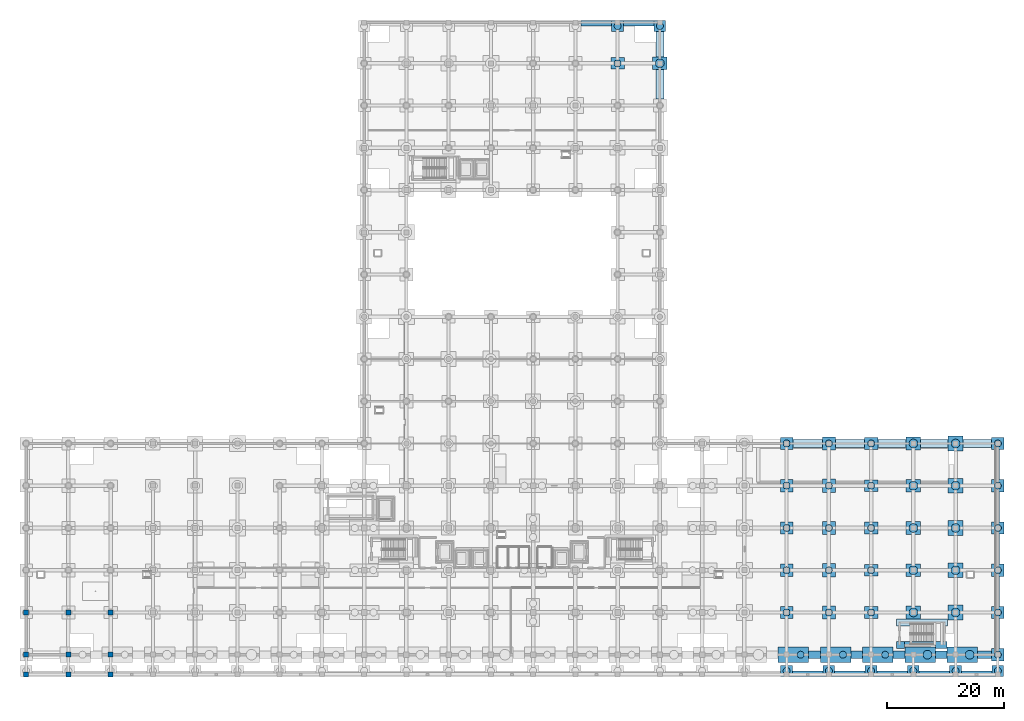
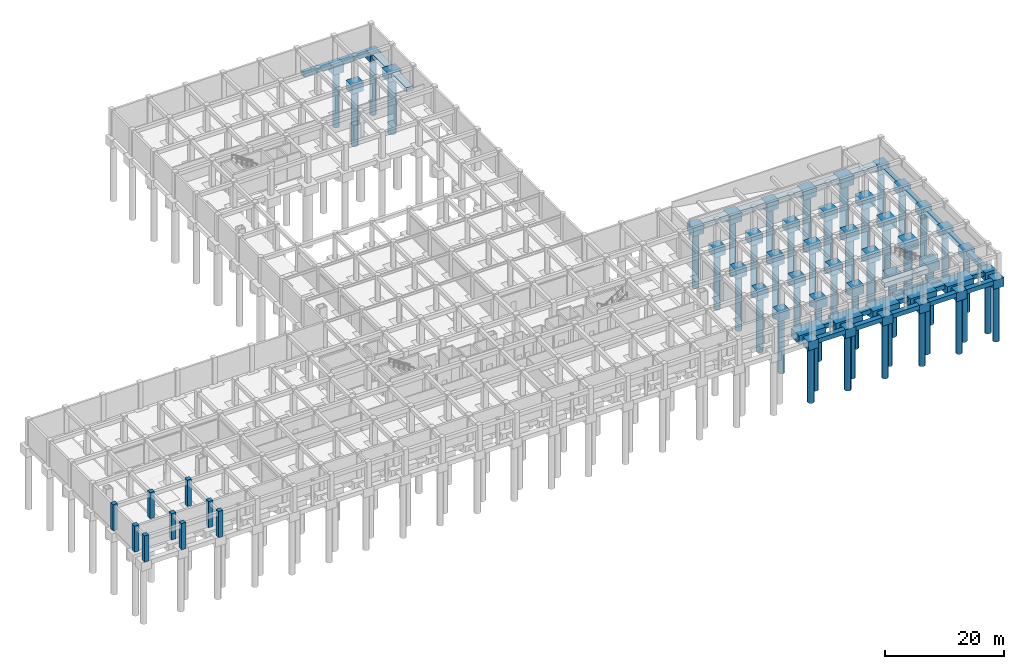
# One storey, part 5 of 26: 74 footings, 46 piles, 9 columns.
"""IFC4 building model written with IfcOpenShell, lengths in metres."""

from ifc_helpers import new_model, si_unit, direction, frame, origin, origin_2d, place, context, subcontext, project, spatial, polyline, rectangle, circle, outline, extrude, material, material_profile, profile_set, type_object, element, save


model = new_model("IFC4")

# Units and contexts
model_context = context("Model", 3, precision=1e-05, world=origin(), true_north=direction((0.0, 1.0)))
body_context = subcontext(model_context, "Body", "Model", "MODEL_VIEW")
ifc_project = project(units=[si_unit("LENGTHUNIT", "METRE"), si_unit("AREAUNIT", "SQUARE_METRE"), si_unit("VOLUMEUNIT", "CUBIC_METRE"), si_unit("PLANEANGLEUNIT", "RADIAN"), si_unit("MASSUNIT", "GRAM", prefix="KILO")], contexts=[model_context])

# Site, building, storey
site_placement = place(None, origin())
site = spatial("IfcSite", under=ifc_project, at=site_placement, CompositionType="ELEMENT")
building_placement = place(site_placement, origin())
building = spatial("IfcBuilding", under=site, at=building_placement, Name="Kazehaya Institute of Natural Sciences", CompositionType="ELEMENT")
storey_placement = place(building_placement, frame((0.0, 0.0, -5.39990234375)))
storey = spatial("IfcBuildingStorey", under=building, at=storey_placement, Name="B1", CompositionType="ELEMENT", Elevation=-5.39990234375)

# Footings
ifc_material_1 = material(Name="Concrete Fc36", Category="concrete")
footing_type_1 = type_object("IfcFootingType", Name="FT-PAD01", PredefinedType="PAD_FOOTING", material=ifc_material_1)
footing_1_placement = place(storey_placement, frame((0.0, 0.0, -0.9501953125)))
element("IfcFooting", 1, at=footing_1_placement, inside=storey, type_object=footing_type_1, Name="Core ST-5 pad footing S seg 1", PredefinedType="PAD_FOOTING", context=body_context, shape_type="SweptSolid", body=[
    extrude(outline(polyline([(152.52001953125, 7.820068359375), (153.929931640625, 7.820068359375), (153.929931640625, 9.02001953125), (152.52001953125, 9.02001953125), (152.52001953125, 7.820068359375)])), origin(), (0.0, 0.0, 1.0), 0.9501953125),
])
footing_2_placement = place(storey_placement, frame((0.0, 0.0, -0.9501953125)))
element("IfcFooting", 2, at=footing_2_placement, inside=storey, type_object=footing_type_1, Name="Core ST-5 pad footing S seg 2", PredefinedType="PAD_FOOTING", context=body_context, shape_type="SweptSolid", body=[
    extrude(outline(polyline([(159.169921875, 7.820068359375), (161.1298828125, 7.820068359375), (161.1298828125, 9.02001953125), (159.169921875, 9.02001953125), (159.169921875, 7.820068359375)])), origin(), (0.0, 0.0, 1.0), 0.9501953125),
])
footing_3_placement = place(storey_placement, frame((0.0, 0.0, -0.9501953125)))
element("IfcFooting", 3, at=footing_3_placement, inside=storey, type_object=footing_type_1, Name="Core ST-5 pad footing S seg 3", PredefinedType="PAD_FOOTING", context=body_context, shape_type="SweptSolid", body=[
    extrude(outline(polyline([(153.929931640625, 8.169921875), (159.169921875, 8.169921875), (159.169921875, 9.02001953125), (153.929931640625, 9.02001953125), (153.929931640625, 8.169921875)])), origin(), (0.0, 0.0, 1.0), 0.9501953125),
])
footing_4_placement = place(storey_placement, frame((0.0, 0.0, -0.9501953125)))
element("IfcFooting", 4, at=footing_4_placement, inside=storey, type_object=footing_type_1, Name="Core ST-5 pad footing N", PredefinedType="PAD_FOOTING", context=body_context, shape_type="SweptSolid", body=[
    extrude(outline(polyline([(152.52001953125, 11.659912109375), (161.179931640625, 11.659912109375), (161.179931640625, 12.860107421875), (152.52001953125, 12.860107421875), (152.52001953125, 11.659912109375)])), origin(), (0.0, 0.0, 1.0), 0.9501953125),
])
footing_type_2 = type_object("IfcFootingType", Name="FT-PC01", PredefinedType="PILE_CAP", material=ifc_material_1)
for number, where, z_axis, x_axis, name in (
    (5, (169.800048828125, 6.800048828125, -1.80029296875), (0.0, 0.0, 1.0), (1.0, 0.0, 0.0), "Pile cap CAP-048"),
    (6, (133.800048828125, 14.0, -1.80029296875), (0.0, 0.0, 1.0), (1.0, 0.0, 0.0), "Pile cap CAP-067"),
    (7, (169.800048828125, 14.0, -1.80029296875), (0.0, 0.0, 1.0), (1.0, 0.0, 0.0), "Pile cap CAP-072"),
    (8, (133.800048828125, 21.199951171875, -1.80029296875), (0.0, 0.0, 1.0), (1.0, 0.0, 0.0), "Pile cap CAP-091"),
    (9, (169.800048828125, 21.199951171875, -1.80029296875), (0.0, 0.0, 1.0), (1.0, 0.0, 0.0), "Pile cap CAP-096"),
    (10, (133.800048828125, 28.39990234375, -1.80029296875), (0.0, 0.0, 1.0), (1.0, 0.0, 0.0), "Pile cap CAP-115"),
    (11, (169.800048828125, 28.39990234375, -1.80029296875), (0.0, 0.0, 1.0), (1.0, 0.0, 0.0), "Pile cap CAP-120"),
    (12, (133.800048828125, 35.60009765625, -1.80029296875), (0.0, 0.0, 1.0), (1.0, 0.0, 0.0), "Pile cap CAP-139"),
    (13, (169.800048828125, 35.60009765625, -1.80029296875), (0.0, 0.0, 1.0), (1.0, 0.0, 0.0), "Pile cap CAP-144"),
    (14, (133.800048828125, 42.800048828125, -1.80029296875), (0.0, 0.0, 1.0), (1.0, 0.0, 0.0), "Pile cap CAP-163"),
    (15, (169.800048828125, 42.800048828125, -1.80029296875), (0.0, 0.0, 1.0), (1.0, 0.0, 0.0), "Pile cap CAP-168"),
):
    element("IfcFooting", number, at=place(storey_placement, frame(where, z_axis=z_axis, x_axis=x_axis)), inside=storey, type_object=footing_type_2, Name=name, PredefinedType="PILE_CAP", context=body_context, shape_type="SweptSolid", body=[
        extrude(rectangle(XDim=2.10009765625, YDim=2.10009765625, at=origin_2d()), origin(), (0.0, 0.0, 1.0), 1.800048828125),
    ])
footing_type_3 = type_object("IfcFootingType", Name="FT-PC05", PredefinedType="PILE_CAP", material=ifc_material_1)
for number, where, z_axis, x_axis, name in (
    (16, (133.800048828125, 4.050048828125, -1.80029296875), (0.0, 0.0, 1.0), (1.0, 0.0, 0.0), "Pile cap CAP-019"),
    (17, (141.0, 4.050048828125, -1.80029296875), (0.0, 0.0, 1.0), (1.0, 0.0, 0.0), "Pile cap CAP-020"),
    (18, (148.199951171875, 4.050048828125, -1.80029296875), (0.0, 0.0, 1.0), (1.0, 0.0, 0.0), "Pile cap CAP-021"),
    (19, (155.39990234375, 4.050048828125, -1.80029296875), (0.0, 0.0, 1.0), (1.0, 0.0, 0.0), "Pile cap CAP-022"),
    (20, (162.60009765625, 4.050048828125, -1.80029296875), (0.0, 0.0, 1.0), (1.0, 0.0, 0.0), "Pile cap CAP-023"),
    (21, (169.800048828125, 4.050048828125, -1.80029296875), (0.0, 0.0, 1.0), (1.0, 0.0, 0.0), "Pile cap CAP-024"),
    (22, (105.0, 113.949951171875, -1.80029296875), (0.0, 0.0, 1.0), (1.0, 0.0, 0.0), "Pile cap CAP-239"),
    (23, (112.199951171875, 113.949951171875, -1.80029296875), (0.0, 0.0, 1.0), (1.0, 0.0, 0.0), "Pile cap CAP-240"),
):
    element("IfcFooting", number, at=place(storey_placement, frame(where, z_axis=z_axis, x_axis=x_axis)), inside=storey, type_object=footing_type_3, Name=name, PredefinedType="PILE_CAP", context=body_context, shape_type="SweptSolid", body=[
        extrude(rectangle(XDim=2.0, YDim=1.89990234375, at=origin_2d()), origin(), (0.0, 0.0, 1.0), 1.800048828125),
    ])
footing_type_4 = type_object("IfcFootingType", Name="FT-PC06", PredefinedType="PILE_CAP", material=ifc_material_1)
for number, where, z_axis, x_axis, name in (
    (24, (141.0, 14.0, -1.80029296875), (0.0, 0.0, 1.0), (1.0, 0.0, 0.0), "Pile cap CAP-068"),
    (25, (141.0, 21.199951171875, -1.80029296875), (0.0, 0.0, 1.0), (1.0, 0.0, 0.0), "Pile cap CAP-092"),
    (26, (141.0, 28.39990234375, -1.80029296875), (0.0, 0.0, 1.0), (1.0, 0.0, 0.0), "Pile cap CAP-116"),
    (27, (141.0, 35.60009765625, -1.80029296875), (0.0, 0.0, 1.0), (1.0, 0.0, 0.0), "Pile cap CAP-140"),
    (28, (141.0, 42.800048828125, -1.80029296875), (0.0, 0.0, 1.0), (1.0, 0.0, 0.0), "Pile cap CAP-164"),
):
    element("IfcFooting", number, at=place(storey_placement, frame(where, z_axis=z_axis, x_axis=x_axis)), inside=storey, type_object=footing_type_4, Name=name, PredefinedType="PILE_CAP", context=body_context, shape_type="SweptSolid", body=[
        extrude(rectangle(XDim=2.25, YDim=2.25, at=origin_2d()), origin(), (0.0, 0.0, 1.0), 1.800048828125),
    ])
footing_type_5 = type_object("IfcFootingType", Name="FT-PC07", PredefinedType="PILE_CAP", material=ifc_material_1)
for number, where, z_axis, x_axis, name in (
    (29, (162.60009765625, 14.0, -1.80029296875), (0.0, 0.0, 1.0), (1.0, 0.0, 0.0), "Pile cap CAP-071"),
    (30, (162.60009765625, 21.199951171875, -1.80029296875), (0.0, 0.0, 1.0), (1.0, 0.0, 0.0), "Pile cap CAP-095"),
    (31, (162.60009765625, 28.39990234375, -1.80029296875), (0.0, 0.0, 1.0), (1.0, 0.0, 0.0), "Pile cap CAP-119"),
    (32, (162.60009765625, 35.60009765625, -1.80029296875), (0.0, 0.0, 1.0), (1.0, 0.0, 0.0), "Pile cap CAP-143"),
    (33, (162.60009765625, 42.800048828125, -1.80029296875), (0.0, 0.0, 1.0), (1.0, 0.0, 0.0), "Pile cap CAP-167"),
):
    element("IfcFooting", number, at=place(storey_placement, frame(where, z_axis=z_axis, x_axis=x_axis)), inside=storey, type_object=footing_type_5, Name=name, PredefinedType="PILE_CAP", context=body_context, shape_type="SweptSolid", body=[
        extrude(rectangle(XDim=2.550048828125, YDim=2.550048828125, at=origin_2d()), origin(), (0.0, 0.0, 1.0), 1.800048828125),
    ])
footing_type_6 = type_object("IfcFootingType", Name="FT-PC10", PredefinedType="PILE_CAP", material=ifc_material_1)
for number, where, z_axis, x_axis, name in (
    (34, (134.949951171875, 6.800048828125, -1.80029296875), (0.0, 0.0, 1.0), (1.0, 0.0, 0.0), "Pile cap CAP-043"),
    (35, (142.14990234375, 6.800048828125, -1.80029296875), (0.0, 0.0, 1.0), (1.0, 0.0, 0.0), "Pile cap CAP-044"),
    (36, (149.35009765625, 6.800048828125, -1.80029296875), (0.0, 0.0, 1.0), (1.0, 0.0, 0.0), "Pile cap CAP-045"),
    (37, (156.550048828125, 6.800048828125, -1.80029296875), (0.0, 0.0, 1.0), (1.0, 0.0, 0.0), "Pile cap CAP-046"),
    (38, (163.75, 6.800048828125, -1.80029296875), (0.0, 0.0, 1.0), (1.0, 0.0, 0.0), "Pile cap CAP-047"),
):
    element("IfcFooting", number, at=place(storey_placement, frame(where, z_axis=z_axis, x_axis=x_axis)), inside=storey, type_object=footing_type_6, Name=name, PredefinedType="PILE_CAP", context=body_context, shape_type="SweptSolid", body=[
        extrude(rectangle(XDim=5.199951171875, YDim=2.699951171875, at=origin_2d()), origin(), (0.0, 0.0, 1.0), 1.800048828125),
    ])
footing_type_7 = type_object("IfcFootingType", Name="FT-PC11", PredefinedType="PILE_CAP", material=ifc_material_1)
for number, where, z_axis, x_axis, name in (
    (39, (148.199951171875, 14.0, -1.80029296875), (0.0, 0.0, 1.0), (1.0, 0.0, 0.0), "Pile cap CAP-069"),
    (40, (148.199951171875, 21.199951171875, -1.80029296875), (0.0, 0.0, 1.0), (1.0, 0.0, 0.0), "Pile cap CAP-093"),
    (41, (148.199951171875, 28.39990234375, -1.80029296875), (0.0, 0.0, 1.0), (1.0, 0.0, 0.0), "Pile cap CAP-117"),
    (42, (148.199951171875, 35.60009765625, -1.80029296875), (0.0, 0.0, 1.0), (1.0, 0.0, 0.0), "Pile cap CAP-141"),
    (43, (148.199951171875, 42.800048828125, -1.80029296875), (0.0, 0.0, 1.0), (1.0, 0.0, 0.0), "Pile cap CAP-165"),
    (44, (105.0, 107.60009765625, -1.80029296875), (0.0, 0.0, 1.0), (1.0, 0.0, 0.0), "Pile cap CAP-231"),
):
    element("IfcFooting", number, at=place(storey_placement, frame(where, z_axis=z_axis, x_axis=x_axis)), inside=storey, type_object=footing_type_7, Name=name, PredefinedType="PILE_CAP", context=body_context, shape_type="SweptSolid", body=[
        extrude(rectangle(XDim=2.300048828125, YDim=2.0, at=origin_2d()), origin(), (0.0, 0.0, 1.0), 1.800048828125),
    ])
footing_type_8 = type_object("IfcFootingType", Name="FT-PC12", PredefinedType="PILE_CAP", material=ifc_material_1)
for number, where, z_axis, x_axis, name in (
    (45, (155.39990234375, 14.0, -1.80029296875), (0.0, 0.0, 1.0), (1.0, 0.0, 0.0), "Pile cap CAP-070"),
    (46, (155.39990234375, 21.199951171875, -1.80029296875), (0.0, 0.0, 1.0), (1.0, 0.0, 0.0), "Pile cap CAP-094"),
    (47, (155.39990234375, 28.39990234375, -1.80029296875), (0.0, 0.0, 1.0), (1.0, 0.0, 0.0), "Pile cap CAP-118"),
    (48, (155.39990234375, 35.60009765625, -1.80029296875), (0.0, 0.0, 1.0), (1.0, 0.0, 0.0), "Pile cap CAP-142"),
    (49, (155.39990234375, 42.800048828125, -1.80029296875), (0.0, 0.0, 1.0), (1.0, 0.0, 0.0), "Pile cap CAP-166"),
    (50, (112.199951171875, 107.60009765625, -1.80029296875), (0.0, 0.0, 1.0), (1.0, 0.0, 0.0), "Pile cap CAP-232"),
):
    element("IfcFooting", number, at=place(storey_placement, frame(where, z_axis=z_axis, x_axis=x_axis)), inside=storey, type_object=footing_type_8, Name=name, PredefinedType="PILE_CAP", context=body_context, shape_type="SweptSolid", body=[
        extrude(rectangle(XDim=2.5, YDim=2.199951171875, at=origin_2d()), origin(), (0.0, 0.0, 1.0), 1.800048828125),
    ])
footing_type_9 = type_object("IfcFootingType", Name="FT-SF01", PredefinedType="STRIP_FOOTING", material=ifc_material_1)
footing_5_placement = place(storey_placement, frame((0.0, 0.0, -0.900146484375)))
element("IfcFooting", 51, at=footing_5_placement, inside=storey, type_object=footing_type_9, Name="Perimeter strip footing SF-019", PredefinedType="STRIP_FOOTING", context=body_context, shape_type="SweptSolid", body=[
    extrude(outline(polyline([(134.800048828125, 3.1201171875), (140.0, 3.1201171875), (140.0, 4.050048828125), (134.800048828125, 4.050048828125), (134.800048828125, 3.1201171875)])), origin(), (0.0, 0.0, 1.0), 0.900146484375),
])
footing_6_placement = place(storey_placement, frame((0.0, 0.0, -0.900146484375)))
element("IfcFooting", 52, at=footing_6_placement, inside=storey, type_object=footing_type_9, Name="Perimeter strip footing SF-020", PredefinedType="STRIP_FOOTING", context=body_context, shape_type="SweptSolid", body=[
    extrude(outline(polyline([(142.0, 3.1201171875), (147.199951171875, 3.1201171875), (147.199951171875, 4.050048828125), (142.0, 4.050048828125), (142.0, 3.1201171875)])), origin(), (0.0, 0.0, 1.0), 0.900146484375),
])
footing_7_placement = place(storey_placement, frame((0.0, 0.0, -0.900146484375)))
element("IfcFooting", 53, at=footing_7_placement, inside=storey, type_object=footing_type_9, Name="Perimeter strip footing SF-021", PredefinedType="STRIP_FOOTING", context=body_context, shape_type="SweptSolid", body=[
    extrude(outline(polyline([(149.199951171875, 3.1201171875), (154.39990234375, 3.1201171875), (154.39990234375, 4.050048828125), (149.199951171875, 4.050048828125), (149.199951171875, 3.1201171875)])), origin(), (0.0, 0.0, 1.0), 0.900146484375),
])
footing_8_placement = place(storey_placement, frame((0.0, 0.0, -0.900146484375)))
element("IfcFooting", 54, at=footing_8_placement, inside=storey, type_object=footing_type_9, Name="Perimeter strip footing SF-022", PredefinedType="STRIP_FOOTING", context=body_context, shape_type="SweptSolid", body=[
    extrude(outline(polyline([(156.39990234375, 3.1201171875), (161.60009765625, 3.1201171875), (161.60009765625, 4.050048828125), (156.39990234375, 4.050048828125), (156.39990234375, 3.1201171875)])), origin(), (0.0, 0.0, 1.0), 0.900146484375),
])
footing_9_placement = place(storey_placement, frame((0.0, 0.0, -0.900146484375)))
element("IfcFooting", 55, at=footing_9_placement, inside=storey, type_object=footing_type_9, Name="Perimeter strip footing SF-023", PredefinedType="STRIP_FOOTING", context=body_context, shape_type="SweptSolid", body=[
    extrude(outline(polyline([(163.60009765625, 3.1201171875), (168.800048828125, 3.1201171875), (168.800048828125, 4.050048828125), (163.60009765625, 4.050048828125), (163.60009765625, 3.1201171875)])), origin(), (0.0, 0.0, 1.0), 0.900146484375),
])
footing_10_placement = place(storey_placement, frame((0.0, 0.0, -0.900146484375)))
element("IfcFooting", 56, at=footing_10_placement, inside=storey, type_object=footing_type_9, Name="Perimeter strip footing SF-042", PredefinedType="STRIP_FOOTING", context=body_context, shape_type="SweptSolid", body=[
    extrude(outline(polyline([(137.550048828125, 6.199951171875), (139.550048828125, 6.199951171875), (139.550048828125, 7.39990234375), (137.550048828125, 7.39990234375), (137.550048828125, 6.199951171875)])), origin(), (0.0, 0.0, 1.0), 0.900146484375),
])
footing_11_placement = place(storey_placement, frame((0.0, 0.0, -0.900146484375)))
element("IfcFooting", 57, at=footing_11_placement, inside=storey, type_object=footing_type_9, Name="Perimeter strip footing SF-043", PredefinedType="STRIP_FOOTING", context=body_context, shape_type="SweptSolid", body=[
    extrude(outline(polyline([(144.75, 6.199951171875), (146.75, 6.199951171875), (146.75, 7.39990234375), (144.75, 7.39990234375), (144.75, 6.199951171875)])), origin(), (0.0, 0.0, 1.0), 0.900146484375),
])
footing_12_placement = place(storey_placement, frame((0.0, 0.0, -0.900146484375)))
element("IfcFooting", 58, at=footing_12_placement, inside=storey, type_object=footing_type_9, Name="Perimeter strip footing SF-044", PredefinedType="STRIP_FOOTING", context=body_context, shape_type="SweptSolid", body=[
    extrude(outline(polyline([(151.949951171875, 6.199951171875), (153.949951171875, 6.199951171875), (153.949951171875, 7.39990234375), (151.949951171875, 7.39990234375), (151.949951171875, 6.199951171875)])), origin(), (0.0, 0.0, 1.0), 0.900146484375),
])
footing_13_placement = place(storey_placement, frame((0.0, 0.0, -0.900146484375)))
element("IfcFooting", 59, at=footing_13_placement, inside=storey, type_object=footing_type_9, Name="Perimeter strip footing SF-045", PredefinedType="STRIP_FOOTING", context=body_context, shape_type="SweptSolid", body=[
    extrude(outline(polyline([(159.14990234375, 6.199951171875), (161.14990234375, 6.199951171875), (161.14990234375, 7.39990234375), (159.14990234375, 7.39990234375), (159.14990234375, 6.199951171875)])), origin(), (0.0, 0.0, 1.0), 0.900146484375),
])
footing_14_placement = place(storey_placement, frame((0.0, 0.0, -0.900146484375)))
element("IfcFooting", 60, at=footing_14_placement, inside=storey, type_object=footing_type_9, Name="Perimeter strip footing SF-046", PredefinedType="STRIP_FOOTING", context=body_context, shape_type="SweptSolid", body=[
    extrude(outline(polyline([(166.35009765625, 6.199951171875), (168.75, 6.199951171875), (168.75, 7.39990234375), (166.35009765625, 7.39990234375), (166.35009765625, 6.199951171875)])), origin(), (0.0, 0.0, 1.0), 0.900146484375),
])
footing_15_placement = place(storey_placement, frame((0.0, 0.0, -0.900146484375)))
element("IfcFooting", 61, at=footing_15_placement, inside=storey, type_object=footing_type_9, Name="Perimeter strip footing SF-075", PredefinedType="STRIP_FOOTING", context=body_context, shape_type="SweptSolid", body=[
    extrude(outline(polyline([(98.800048828125, 113.949951171875), (104.0, 113.949951171875), (104.0, 114.8798828125), (98.800048828125, 114.8798828125), (98.800048828125, 113.949951171875)])), origin(), (0.0, 0.0, 1.0), 0.900146484375),
])
footing_16_placement = place(storey_placement, frame((0.0, 0.0, -0.900146484375)))
element("IfcFooting", 62, at=footing_16_placement, inside=storey, type_object=footing_type_9, Name="Perimeter strip footing SF-076", PredefinedType="STRIP_FOOTING", context=body_context, shape_type="SweptSolid", body=[
    extrude(outline(polyline([(106.0, 113.949951171875), (111.199951171875, 113.949951171875), (111.199951171875, 114.8798828125), (106.0, 114.8798828125), (106.0, 113.949951171875)])), origin(), (0.0, 0.0, 1.0), 0.900146484375),
])
footing_17_placement = place(storey_placement, frame((0.0, 0.0, -0.900146484375)))
element("IfcFooting", 63, at=footing_17_placement, inside=storey, type_object=footing_type_9, Name="Perimeter strip footing SF-095", PredefinedType="STRIP_FOOTING", context=body_context, shape_type="SweptSolid", body=[
    extrude(outline(polyline([(169.199951171875, 7.85009765625), (170.080078125, 7.85009765625), (170.080078125, 12.949951171875), (169.199951171875, 12.949951171875), (169.199951171875, 7.85009765625)])), origin(), (0.0, 0.0, 1.0), 0.900146484375),
])
footing_18_placement = place(storey_placement, frame((0.0, 0.0, -0.900146484375)))
element("IfcFooting", 64, at=footing_18_placement, inside=storey, type_object=footing_type_9, Name="Perimeter strip footing SF-096", PredefinedType="STRIP_FOOTING", context=body_context, shape_type="SweptSolid", body=[
    extrude(outline(polyline([(169.199951171875, 15.050048828125), (170.080078125, 15.050048828125), (170.080078125, 20.14990234375), (169.199951171875, 20.14990234375), (169.199951171875, 15.050048828125)])), origin(), (0.0, 0.0, 1.0), 0.900146484375),
])
footing_19_placement = place(storey_placement, frame((0.0, 0.0, -0.900146484375)))
element("IfcFooting", 65, at=footing_19_placement, inside=storey, type_object=footing_type_9, Name="Perimeter strip footing SF-097", PredefinedType="STRIP_FOOTING", context=body_context, shape_type="SweptSolid", body=[
    extrude(outline(polyline([(169.199951171875, 22.25), (170.080078125, 22.25), (170.080078125, 27.35009765625), (169.199951171875, 27.35009765625), (169.199951171875, 22.25)])), origin(), (0.0, 0.0, 1.0), 0.900146484375),
])
footing_20_placement = place(storey_placement, frame((0.0, 0.0, -0.900146484375)))
element("IfcFooting", 66, at=footing_20_placement, inside=storey, type_object=footing_type_9, Name="Perimeter strip footing SF-098", PredefinedType="STRIP_FOOTING", context=body_context, shape_type="SweptSolid", body=[
    extrude(outline(polyline([(169.199951171875, 29.449951171875), (170.080078125, 29.449951171875), (170.080078125, 34.550048828125), (169.199951171875, 34.550048828125), (169.199951171875, 29.449951171875)])), origin(), (0.0, 0.0, 1.0), 0.900146484375),
])
footing_21_placement = place(storey_placement, frame((0.0, 0.0, -0.900146484375)))
element("IfcFooting", 67, at=footing_21_placement, inside=storey, type_object=footing_type_9, Name="Perimeter strip footing SF-099", PredefinedType="STRIP_FOOTING", context=body_context, shape_type="SweptSolid", body=[
    extrude(outline(polyline([(169.199951171875, 36.64990234375), (170.080078125, 36.64990234375), (170.080078125, 41.75), (169.199951171875, 41.75), (169.199951171875, 36.64990234375)])), origin(), (0.0, 0.0, 1.0), 0.900146484375),
])
footing_type_10 = type_object("IfcFootingType", Name="FT-SF02", PredefinedType="STRIP_FOOTING", material=ifc_material_1)
footing_22_placement = place(storey_placement, frame((0.0, 0.0, -0.9501953125)))
element("IfcFooting", 68, at=footing_22_placement, inside=storey, type_object=footing_type_10, Name="Perimeter strip footing SF-085", PredefinedType="STRIP_FOOTING", context=body_context, shape_type="SweptSolid", body=[
    extrude(outline(polyline([(111.5, 101.52490234375), (112.89990234375, 101.52490234375), (112.89990234375, 106.5), (111.5, 106.5), (111.5, 101.52490234375)])), origin(), (0.0, 0.0, 1.0), 0.9501953125),
])
footing_23_placement = place(storey_placement, frame((0.0, 0.0, -0.9501953125)))
element("IfcFooting", 69, at=footing_23_placement, inside=storey, type_object=footing_type_10, Name="Perimeter strip footing SF-086", PredefinedType="STRIP_FOOTING", context=body_context, shape_type="SweptSolid", body=[
    extrude(outline(polyline([(111.5, 108.699951171875), (112.89990234375, 108.699951171875), (112.89990234375, 113.0), (111.5, 113.0), (111.5, 108.699951171875)])), origin(), (0.0, 0.0, 1.0), 0.9501953125),
])
footing_24_placement = place(storey_placement, frame((0.0, 0.0, -0.9501953125)))
element("IfcFooting", 70, at=footing_24_placement, inside=storey, type_object=footing_type_10, Name="Perimeter strip footing SF-090", PredefinedType="STRIP_FOOTING", context=body_context, shape_type="SweptSolid", body=[
    extrude(outline(polyline([(134.85009765625, 42.10009765625), (139.875, 42.10009765625), (139.875, 43.5), (134.85009765625, 43.5), (134.85009765625, 42.10009765625)])), origin(), (0.0, 0.0, 1.0), 0.9501953125),
])
footing_25_placement = place(storey_placement, frame((0.0, 0.0, -0.9501953125)))
element("IfcFooting", 71, at=footing_25_placement, inside=storey, type_object=footing_type_10, Name="Perimeter strip footing SF-091", PredefinedType="STRIP_FOOTING", context=body_context, shape_type="SweptSolid", body=[
    extrude(outline(polyline([(142.125, 42.10009765625), (147.050048828125, 42.10009765625), (147.050048828125, 43.5), (142.125, 43.5), (142.125, 42.10009765625)])), origin(), (0.0, 0.0, 1.0), 0.9501953125),
])
footing_26_placement = place(storey_placement, frame((0.0, 0.0, -0.9501953125)))
element("IfcFooting", 72, at=footing_26_placement, inside=storey, type_object=footing_type_10, Name="Perimeter strip footing SF-092", PredefinedType="STRIP_FOOTING", context=body_context, shape_type="SweptSolid", body=[
    extrude(outline(polyline([(149.35009765625, 42.10009765625), (154.14990234375, 42.10009765625), (154.14990234375, 43.5), (149.35009765625, 43.5), (149.35009765625, 42.10009765625)])), origin(), (0.0, 0.0, 1.0), 0.9501953125),
])
footing_27_placement = place(storey_placement, frame((0.0, 0.0, -0.9501953125)))
element("IfcFooting", 73, at=footing_27_placement, inside=storey, type_object=footing_type_10, Name="Perimeter strip footing SF-093", PredefinedType="STRIP_FOOTING", context=body_context, shape_type="SweptSolid", body=[
    extrude(outline(polyline([(156.64990234375, 42.10009765625), (161.324951171875, 42.10009765625), (161.324951171875, 43.5), (156.64990234375, 43.5), (156.64990234375, 42.10009765625)])), origin(), (0.0, 0.0, 1.0), 0.9501953125),
])
footing_28_placement = place(storey_placement, frame((0.0, 0.0, -0.9501953125)))
element("IfcFooting", 74, at=footing_28_placement, inside=storey, type_object=footing_type_10, Name="Perimeter strip footing SF-094", PredefinedType="STRIP_FOOTING", context=body_context, shape_type="SweptSolid", body=[
    extrude(outline(polyline([(163.875, 42.10009765625), (168.75, 42.10009765625), (168.75, 43.5), (163.875, 43.5), (163.875, 42.10009765625)])), origin(), (0.0, 0.0, 1.0), 0.9501953125),
])

# Piles
ifc_material_profile_1 = material_profile(ifc_material_1, circle(Radius=0.60009765625, at=origin_2d()), Name="PILE-1200")
ifc_profile_set_1 = profile_set([ifc_material_profile_1], Name="Concrete Fc36")
pile_type_1 = type_object("IfcPileType", Name="PILE-1200", PredefinedType="BORED", material=ifc_profile_set_1)
for number, where, z_axis, x_axis, name in (
    (75, (133.800048828125, 4.050048828125, -1.7001953125), (0.0, 0.0, -1.0), (1.0, 0.0, 0.0), "Bored pile CAP-019-P1"),
    (76, (141.0, 4.050048828125, -1.7001953125), (0.0, 0.0, -1.0), (1.0, 0.0, 0.0), "Bored pile CAP-020-P1"),
    (77, (148.199951171875, 4.050048828125, -1.7001953125), (0.0, 0.0, -1.0), (1.0, 0.0, 0.0), "Bored pile CAP-021-P1"),
    (78, (155.39990234375, 4.050048828125, -1.7001953125), (0.0, 0.0, -1.0), (1.0, 0.0, 0.0), "Bored pile CAP-022-P1"),
    (79, (162.60009765625, 4.050048828125, -1.7001953125), (0.0, 0.0, -1.0), (1.0, 0.0, 0.0), "Bored pile CAP-023-P1"),
    (80, (169.800048828125, 4.050048828125, -1.7001953125), (0.0, 0.0, -1.0), (1.0, 0.0, 0.0), "Bored pile CAP-024-P1"),
    (81, (136.199951171875, 6.800048828125, -1.7001953125), (0.0, 0.0, -1.0), (1.0, 0.0, 0.0), "Bored pile CAP-043-P1"),
    (82, (143.39990234375, 6.800048828125, -1.7001953125), (0.0, 0.0, -1.0), (1.0, 0.0, 0.0), "Bored pile CAP-044-P1"),
    (83, (150.60009765625, 6.800048828125, -1.7001953125), (0.0, 0.0, -1.0), (1.0, 0.0, 0.0), "Bored pile CAP-045-P1"),
    (84, (169.800048828125, 6.800048828125, -1.7001953125), (0.0, 0.0, -1.0), (1.0, 0.0, 0.0), "Bored pile CAP-048-P1"),
    (85, (133.800048828125, 14.0, -1.7001953125), (0.0, 0.0, -1.0), (1.0, 0.0, 0.0), "Bored pile CAP-067-P1"),
    (86, (141.0, 14.0, -1.7001953125), (0.0, 0.0, -1.0), (1.0, 0.0, 0.0), "Bored pile CAP-068-P1"),
    (87, (148.199951171875, 14.0, -1.7001953125), (0.0, 0.0, -1.0), (1.0, 0.0, 0.0), "Bored pile CAP-069-P1"),
    (88, (169.800048828125, 14.0, -1.7001953125), (0.0, 0.0, -1.0), (1.0, 0.0, 0.0), "Bored pile CAP-072-P1"),
    (89, (133.800048828125, 21.199951171875, -1.7001953125), (0.0, 0.0, -1.0), (1.0, 0.0, 0.0), "Bored pile CAP-091-P1"),
    (90, (141.0, 21.199951171875, -1.7001953125), (0.0, 0.0, -1.0), (1.0, 0.0, 0.0), "Bored pile CAP-092-P1"),
    (91, (148.199951171875, 21.199951171875, -1.7001953125), (0.0, 0.0, -1.0), (1.0, 0.0, 0.0), "Bored pile CAP-093-P1"),
    (92, (169.800048828125, 21.199951171875, -1.7001953125), (0.0, 0.0, -1.0), (1.0, 0.0, 0.0), "Bored pile CAP-096-P1"),
    (93, (133.800048828125, 28.39990234375, -1.7001953125), (0.0, 0.0, -1.0), (1.0, 0.0, 0.0), "Bored pile CAP-115-P1"),
    (94, (141.0, 28.39990234375, -1.7001953125), (0.0, 0.0, -1.0), (1.0, 0.0, 0.0), "Bored pile CAP-116-P1"),
    (95, (148.199951171875, 28.39990234375, -1.7001953125), (0.0, 0.0, -1.0), (1.0, 0.0, 0.0), "Bored pile CAP-117-P1"),
    (96, (169.800048828125, 28.39990234375, -1.7001953125), (0.0, 0.0, -1.0), (1.0, 0.0, 0.0), "Bored pile CAP-120-P1"),
    (97, (133.800048828125, 35.60009765625, -1.7001953125), (0.0, 0.0, -1.0), (1.0, 0.0, 0.0), "Bored pile CAP-139-P1"),
    (98, (141.0, 35.60009765625, -1.7001953125), (0.0, 0.0, -1.0), (1.0, 0.0, 0.0), "Bored pile CAP-140-P1"),
    (99, (148.199951171875, 35.60009765625, -1.7001953125), (0.0, 0.0, -1.0), (1.0, 0.0, 0.0), "Bored pile CAP-141-P1"),
    (100, (169.800048828125, 35.60009765625, -1.7001953125), (0.0, 0.0, -1.0), (1.0, 0.0, 0.0), "Bored pile CAP-144-P1"),
    (101, (133.800048828125, 42.800048828125, -1.7001953125), (0.0, 0.0, -1.0), (1.0, 0.0, 0.0), "Bored pile CAP-163-P1"),
    (102, (141.0, 42.800048828125, -1.7001953125), (0.0, 0.0, -1.0), (1.0, 0.0, 0.0), "Bored pile CAP-164-P1"),
    (103, (148.199951171875, 42.800048828125, -1.7001953125), (0.0, 0.0, -1.0), (1.0, 0.0, 0.0), "Bored pile CAP-165-P1"),
    (104, (169.800048828125, 42.800048828125, -1.7001953125), (0.0, 0.0, -1.0), (1.0, 0.0, 0.0), "Bored pile CAP-168-P1"),
    (105, (105.0, 107.60009765625, -1.7001953125), (0.0, 0.0, -1.0), (1.0, 0.0, 0.0), "Bored pile CAP-231-P1"),
    (106, (105.0, 113.949951171875, -1.7001953125), (0.0, 0.0, -1.0), (1.0, 0.0, 0.0), "Bored pile CAP-239-P1"),
    (107, (112.199951171875, 113.949951171875, -1.7001953125), (0.0, 0.0, -1.0), (1.0, 0.0, 0.0), "Bored pile CAP-240-P1"),
):
    element("IfcPile", number, at=place(storey_placement, frame(where, z_axis=z_axis, x_axis=x_axis)), inside=storey, type_object=pile_type_1, Name=name, PredefinedType="BORED", context=body_context, shape_type="SweptSolid", body=[
        extrude(circle(Radius=0.60009765625, at=origin_2d()), origin(), (0.0, 0.0, 1.0), 11.39990234375),
    ])
ifc_material_profile_2 = material_profile(ifc_material_1, circle(Radius=0.75, at=origin_2d()), Name="PILE-1500")
ifc_profile_set_2 = profile_set([ifc_material_profile_2], Name="Concrete Fc36")
pile_type_2 = type_object("IfcPileType", Name="PILE-1500", PredefinedType="BORED", material=ifc_profile_set_2)
for number, where, z_axis, x_axis, name in (
    (108, (157.800048828125, 6.800048828125, -1.7001953125), (0.0, 0.0, -1.0), (1.0, 0.0, 0.0), "Bored pile CAP-046-P1"),
    (109, (165.0, 6.800048828125, -1.7001953125), (0.0, 0.0, -1.0), (1.0, 0.0, 0.0), "Bored pile CAP-047-P1"),
    (110, (155.39990234375, 14.0, -1.7001953125), (0.0, 0.0, -1.0), (1.0, 0.0, 0.0), "Bored pile CAP-070-P1"),
    (111, (162.60009765625, 14.0, -1.7001953125), (0.0, 0.0, -1.0), (1.0, 0.0, 0.0), "Bored pile CAP-071-P1"),
    (112, (155.39990234375, 21.199951171875, -1.7001953125), (0.0, 0.0, -1.0), (1.0, 0.0, 0.0), "Bored pile CAP-094-P1"),
    (113, (162.60009765625, 21.199951171875, -1.7001953125), (0.0, 0.0, -1.0), (1.0, 0.0, 0.0), "Bored pile CAP-095-P1"),
    (114, (155.39990234375, 28.39990234375, -1.7001953125), (0.0, 0.0, -1.0), (1.0, 0.0, 0.0), "Bored pile CAP-118-P1"),
    (115, (162.60009765625, 28.39990234375, -1.7001953125), (0.0, 0.0, -1.0), (1.0, 0.0, 0.0), "Bored pile CAP-119-P1"),
    (116, (155.39990234375, 35.60009765625, -1.7001953125), (0.0, 0.0, -1.0), (1.0, 0.0, 0.0), "Bored pile CAP-142-P1"),
    (117, (162.60009765625, 35.60009765625, -1.7001953125), (0.0, 0.0, -1.0), (1.0, 0.0, 0.0), "Bored pile CAP-143-P1"),
    (118, (155.39990234375, 42.800048828125, -1.7001953125), (0.0, 0.0, -1.0), (1.0, 0.0, 0.0), "Bored pile CAP-166-P1"),
    (119, (162.60009765625, 42.800048828125, -1.7001953125), (0.0, 0.0, -1.0), (1.0, 0.0, 0.0), "Bored pile CAP-167-P1"),
    (120, (112.199951171875, 107.60009765625, -1.7001953125), (0.0, 0.0, -1.0), (1.0, 0.0, 0.0), "Bored pile CAP-232-P1"),
):
    element("IfcPile", number, at=place(storey_placement, frame(where, z_axis=z_axis, x_axis=x_axis)), inside=storey, type_object=pile_type_2, Name=name, PredefinedType="BORED", context=body_context, shape_type="SweptSolid", body=[
        extrude(circle(Radius=0.75, at=origin_2d()), origin(), (0.0, 0.0, 1.0), 11.39990234375),
    ])

# Columns
ifc_material_2 = material(Name="Concrete Fc42", Category="concrete")
ifc_material_profile_3 = material_profile(ifc_material_2, rectangle(XDim=0.85009765625, YDim=0.85009765625, at=origin_2d()), Name="RC-850x850")
ifc_profile_set_3 = profile_set([ifc_material_profile_3], Name="Concrete Fc42")
column_type = type_object("IfcColumnType", Name="COL-RC850", PredefinedType="COLUMN", material=ifc_profile_set_3)
for number, where, z_axis, x_axis, name in (
    (121, (4.199951171875, 3.449951171875, 0.0), (0.0, 0.0, 1.0), (1.0, 0.0, 0.0), "B1 column COL-B1-0001"),
    (122, (11.39990234375, 3.449951171875, 0.0), (0.0, 0.0, 1.0), (1.0, 0.0, 0.0), "B1 column COL-B1-0002"),
    (123, (18.60009765625, 3.449951171875, 0.0), (0.0, 0.0, 1.0), (1.0, 0.0, 0.0), "B1 column COL-B1-0003"),
    (124, (4.199951171875, 6.800048828125, 0.0), (0.0, 0.0, 1.0), (1.0, 0.0, 0.0), "B1 column COL-B1-0025"),
    (125, (11.39990234375, 6.800048828125, 0.0), (0.0, 0.0, 1.0), (1.0, 0.0, 0.0), "B1 column COL-B1-0026"),
    (126, (18.60009765625, 6.800048828125, 0.0), (0.0, 0.0, 1.0), (1.0, 0.0, 0.0), "B1 column COL-B1-0027"),
    (127, (4.199951171875, 14.0, 0.0), (0.0, 0.0, 1.0), (1.0, 0.0, 0.0), "B1 column COL-B1-0049"),
    (128, (11.39990234375, 14.0, 0.0), (0.0, 0.0, 1.0), (1.0, 0.0, 0.0), "B1 column COL-B1-0050"),
    (129, (18.60009765625, 14.0, 0.0), (0.0, 0.0, 1.0), (1.0, 0.0, 0.0), "B1 column COL-B1-0051"),
):
    element("IfcColumn", number, at=place(storey_placement, frame(where, z_axis=z_axis, x_axis=x_axis)), inside=storey, type_object=column_type, Name=name, PredefinedType="COLUMN", context=body_context, shape_type="SweptSolid", body=[
        extrude(rectangle(XDim=0.85009765625, YDim=0.85009765625, at=origin_2d()), origin(), (0.0, 0.0, 1.0), 5.39990234375),
    ])

save(model, "model.ifc")
